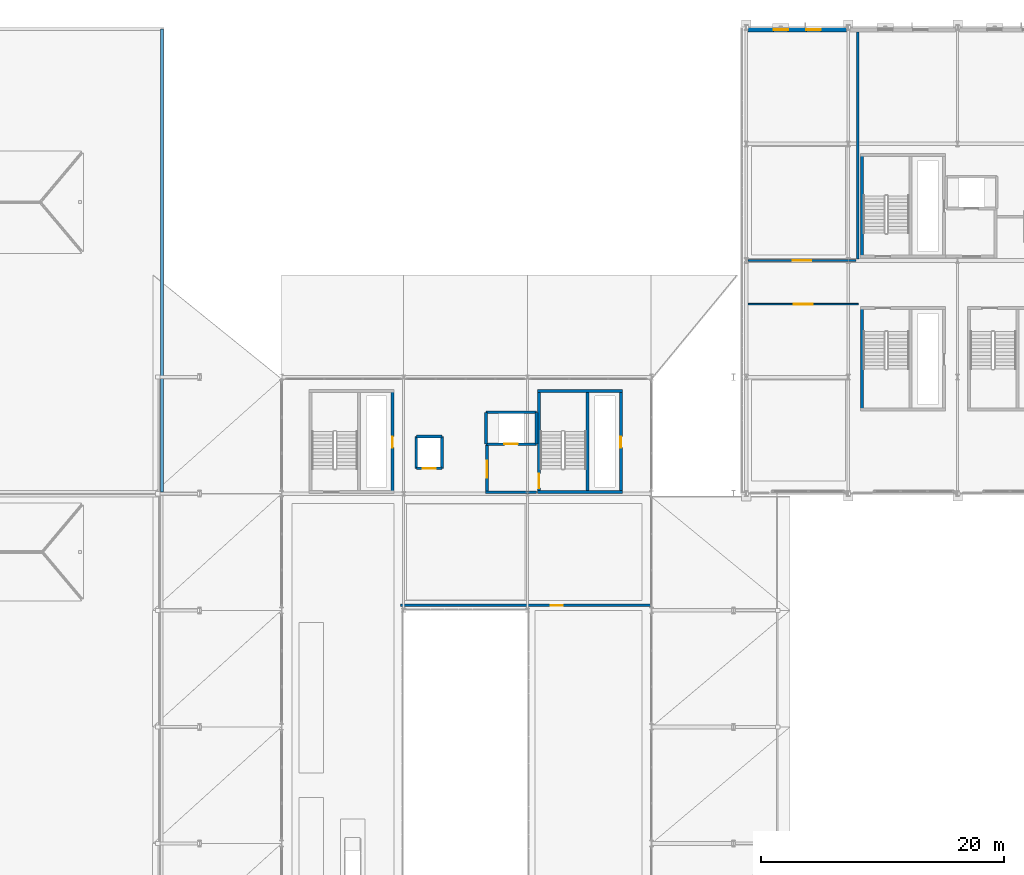
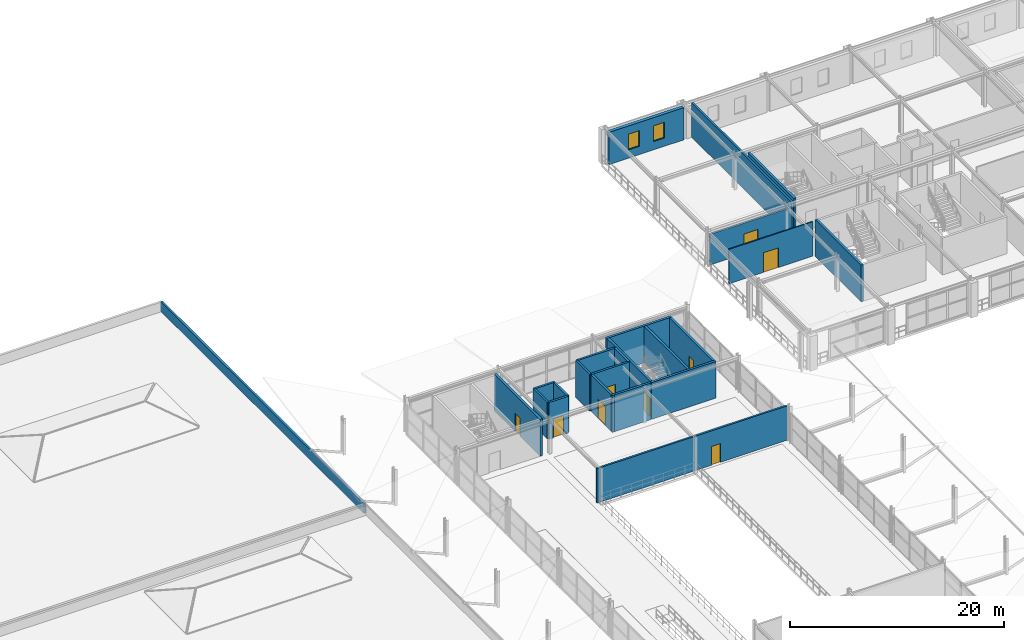
# One storey, part 48 of 81: 24 walls, 9 doors, 2 windows, 11 openings.
"""IFC4 building model written with IfcOpenShell, lengths in metres."""

from ifc_helpers import new_model, si_unit, direction, frame, frame_2d, origin, place, context, subcontext, project, spatial, rectangle, extrude, material, layer, layer_set, type_object, element, fill, save


model = new_model("IFC4")

# Units and contexts
model_context = context("Model", 3, precision=1e-05, world=origin(), true_north=direction((0.0, 1.0)))
body_context = subcontext(model_context, "Body", "Model", "MODEL_VIEW")
ifc_project = project(units=[si_unit("LENGTHUNIT", "METRE"), si_unit("AREAUNIT", "SQUARE_METRE"), si_unit("VOLUMEUNIT", "CUBIC_METRE"), si_unit("PLANEANGLEUNIT", "RADIAN"), si_unit("MASSUNIT", "GRAM", prefix="KILO")], contexts=[model_context])

# Site, building, storey
site_placement = place(None, origin())
site = spatial("IfcSite", under=ifc_project, at=site_placement, CompositionType="ELEMENT")
building_placement = place(site_placement, origin())
building = spatial("IfcBuilding", under=site, at=building_placement, Name="Myrtia Square Station", CompositionType="ELEMENT")
storey_placement = place(building_placement, frame((0.0, 0.0, 10.800048828125)))
storey = spatial("IfcBuildingStorey", under=building, at=storey_placement, Name="L02", CompositionType="ELEMENT", Elevation=10.800048828125)

# Wall, opening, door
ifc_material_1 = material(Name="Concrete C35/45", Category="concrete")
ifc_layer_1 = layer(ifc_material_1, 0.25, Name="Concrete C35/45")
ifc_layer_set_1 = layer_set([ifc_layer_1], Name="Concrete C35/45")
wall_type_1 = type_object("IfcWallType", Name="WL-CORE-250", PredefinedType="SHEAR", material=ifc_layer_set_1)
wall_1_placement = place(storey_placement, frame((88.47509765625, 86.39990234375, 0.0), z_axis=(0.0, 0.0, 1.0), x_axis=(0.0, 1.0, 0.0)))
wall_1 = element("IfcWall", 1, at=wall_1_placement, inside=storey, type_object=wall_type_1, Name="Core K2 shear wall L02 E", PredefinedType="SHEAR", context=body_context, shape_type="SweptSolid", body=[
    extrude(rectangle(XDim=8.60009765625, YDim=0.25, at=frame_2d((4.300048828125, 0.0))), origin(), (0.0, 0.0, 1.0), 4.199951171875),
])
opening_1_placement = place(wall_1_placement, frame((3.800048828125, 0.0, 0.0)))
opening_1 = element("IfcOpeningElement", 2, at=opening_1_placement, cuts=wall_1, Name="Opening RD-018", PredefinedType="OPENING", context=body_context, shape_type="SweptSolid", body=[
    extrude(rectangle(XDim=0.89990234375, YDim=2.050048828125, at=frame_2d((0.449951171875, 1.02490234375))), frame((0.0, 0.139892578125, 0.0), z_axis=(0.0, -1.0, 0.0), x_axis=(1.0, 0.0, 0.0)), (0.0, 0.0, 1.0), 0.280029296875),
])
ifc_material_2 = material(Name="Dark bronze anodised aluminium", Category="aluminium")
door_type_1 = type_object("IfcDoorType", Name="DR-RISER-900x2050", OperationType="NOTDEFINED", PredefinedType="DOOR", material=ifc_material_2)
door_1_placement = place(opening_1_placement, origin())
door_1 = element("IfcDoor", 3, at=door_1_placement, inside=storey, type_object=door_type_1, Name="Riser cupboard access door K2 L02", OperationType="SINGLE_SWING_RIGHT", OverallHeight=2.050048828125, OverallWidth=0.89990234375, PredefinedType="DOOR", context=body_context, shape_type="SweptSolid", body=[
    extrude(rectangle(XDim=0.89990234375, YDim=2.050048828125, at=frame_2d((0.449951171875, 1.02490234375))), frame((0.0, 0.02490234375, 0.0), z_axis=(0.0, -1.0, 0.0), x_axis=(1.0, 0.0, 0.0)), (0.0, 0.0, 1.0), 0.050048828125),
])
fill(opening_1, door_1)

# Walls
for number, where, z_axis, x_axis, name in (
    (4, (100.39990234375, 86.52490234375, 0.0), (0.0, 0.0, 1.0), (1.0, 0.0, 0.0), "Core K4 shear wall L02 S"),
    (5, (100.39990234375, 94.875, 0.0), (0.0, 0.0, 1.0), (1.0, 0.0, 0.0), "Core K4 shear wall L02 N"),
):
    element("IfcWall", number, at=place(storey_placement, frame(where, z_axis=z_axis, x_axis=x_axis)), inside=storey, type_object=wall_type_1, Name=name, PredefinedType="SHEAR", context=body_context, shape_type="SweptSolid", body=[
        extrude(rectangle(XDim=7.0, YDim=0.25, at=frame_2d((3.5, 0.0))), origin(), (0.0, 0.0, 1.0), 4.199951171875),
    ])

# Wall, opening, door
wall_2_placement = place(storey_placement, frame((100.52490234375, 86.39990234375, 0.0), z_axis=(0.0, 0.0, 1.0), x_axis=(0.0, 1.0, 0.0)))
wall_2 = element("IfcWall", 6, at=wall_2_placement, inside=storey, type_object=wall_type_1, Name="Core K4 shear wall L02 W", PredefinedType="SHEAR", context=body_context, shape_type="SweptSolid", body=[
    extrude(rectangle(XDim=8.60009765625, YDim=0.25, at=frame_2d((4.300048828125, 0.0))), origin(), (0.0, 0.0, 1.0), 4.199951171875),
])
opening_2_placement = place(wall_2_placement, frame((0.449951171875, 0.0, 0.0)))
opening_2 = element("IfcOpeningElement", 7, at=opening_2_placement, cuts=wall_2, Name="Opening SD-045", PredefinedType="OPENING", context=body_context, shape_type="SweptSolid", body=[
    extrude(rectangle(XDim=1.199951171875, YDim=2.14990234375, at=frame_2d((0.60009765625, 1.074951171875))), frame((0.0, 0.139892578125, 0.0), z_axis=(0.0, -1.0, 0.0), x_axis=(1.0, 0.0, 0.0)), (0.0, 0.0, 1.0), 0.280029296875),
])
door_type_2 = type_object("IfcDoorType", Name="DR-STAIR-1200x2150", OperationType="NOTDEFINED", PredefinedType="DOOR", material=ifc_material_2)
door_2_placement = place(opening_2_placement, frame((1.199951171875, 0.0, 0.0), z_axis=(0.0, 0.0, 1.0), x_axis=(-1.0, 0.0, 0.0)))
door_2 = element("IfcDoor", 8, at=door_2_placement, inside=storey, type_object=door_type_2, Name="Protected stair fire door K4 L02", OperationType="SINGLE_SWING_LEFT", OverallHeight=2.14990234375, OverallWidth=1.199951171875, PredefinedType="DOOR", context=body_context, shape_type="SweptSolid", body=[
    extrude(rectangle(XDim=1.199951171875, YDim=2.14990234375, at=frame_2d((0.60009765625, 1.074951171875))), frame((0.0, 0.02490234375, 0.0), z_axis=(0.0, -1.0, 0.0), x_axis=(1.0, 0.0, 0.0)), (0.0, 0.0, 1.0), 0.050048828125),
])
fill(opening_2, door_2)

wall_3_placement = place(storey_placement, frame((107.27490234375, 86.39990234375, 0.0), z_axis=(0.0, 0.0, 1.0), x_axis=(0.0, 1.0, 0.0)))
wall_3 = element("IfcWall", 9, at=wall_3_placement, inside=storey, type_object=wall_type_1, Name="Core K4 shear wall L02 E", PredefinedType="SHEAR", context=body_context, shape_type="SweptSolid", body=[
    extrude(rectangle(XDim=8.60009765625, YDim=0.25, at=frame_2d((4.300048828125, 0.0))), origin(), (0.0, 0.0, 1.0), 4.199951171875),
])
opening_3_placement = place(wall_3_placement, frame((3.800048828125, 0.0, 0.0)))
opening_3 = element("IfcOpeningElement", 10, at=opening_3_placement, cuts=wall_3, Name="Opening RD-046", PredefinedType="OPENING", context=body_context, shape_type="SweptSolid", body=[
    extrude(rectangle(XDim=0.89990234375, YDim=2.050048828125, at=frame_2d((0.449951171875, 1.02490234375))), frame((0.0, 0.139892578125, 0.0), z_axis=(0.0, -1.0, 0.0), x_axis=(1.0, 0.0, 0.0)), (0.0, 0.0, 1.0), 0.280029296875),
])
door_3_placement = place(opening_3_placement, origin())
door_3 = element("IfcDoor", 11, at=door_3_placement, inside=storey, type_object=door_type_1, Name="Riser cupboard access door K4 L02", OperationType="SINGLE_SWING_RIGHT", OverallHeight=2.050048828125, OverallWidth=0.89990234375, PredefinedType="DOOR", context=body_context, shape_type="SweptSolid", body=[
    extrude(rectangle(XDim=0.89990234375, YDim=2.050048828125, at=frame_2d((0.449951171875, 1.02490234375))), frame((0.0, 0.02490234375, 0.0), z_axis=(0.0, -1.0, 0.0), x_axis=(1.0, 0.0, 0.0)), (0.0, 0.0, 1.0), 0.050048828125),
])
fill(opening_3, door_3)

# Walls
wall_4_placement = place(storey_placement, frame((104.5400390625, 86.60009765625, 0.0), z_axis=(0.0, 0.0, 1.0), x_axis=(0.0, 1.0, 0.0)))
element("IfcWall", 12, at=wall_4_placement, inside=storey, type_object=wall_type_1, Name="Core K4 shear wall L02 D", PredefinedType="SHEAR", context=body_context, shape_type="SweptSolid", body=[
    extrude(rectangle(XDim=8.199951171875, YDim=0.25, at=frame_2d((4.10009765625, 0.0))), origin(), (0.0, 0.0, 1.0), 4.199951171875),
])
wall_5_placement = place(storey_placement, frame((127.125, 105.800048828125, 0.0), z_axis=(0.0, 0.0, 1.0), x_axis=(0.0, 1.0, 0.0)))
element("IfcWall", 13, at=wall_5_placement, inside=storey, type_object=wall_type_1, Name="Core K7 shear wall L02 W", PredefinedType="SHEAR", context=body_context, shape_type="SweptSolid", body=[
    extrude(rectangle(XDim=8.599853515625, YDim=0.25, at=frame_2d((4.2998046875, 0.0))), origin(), (0.0, 0.0, 1.0), 4.199951171875),
])
wall_6_placement = place(storey_placement, frame((127.125, 93.199951171875, 0.0), z_axis=(0.0, 0.0, 1.0), x_axis=(0.0, 1.0, 0.0)))
element("IfcWall", 14, at=wall_6_placement, inside=storey, type_object=wall_type_1, Name="Core K12 shear wall L02 W", PredefinedType="SHEAR", context=body_context, shape_type="SweptSolid", body=[
    extrude(rectangle(XDim=8.60009765625, YDim=0.25, at=frame_2d((4.300048828125, 0.0))), origin(), (0.0, 0.0, 1.0), 4.199951171875),
])

# Wall, openings, windows
ifc_material_3 = material(Name="Cream lime stucco on clay brick masonry", Category="masonry")
ifc_layer_2 = layer(ifc_material_3, 0.360107421875, Name="Cream lime stucco on clay brick masonry")
ifc_layer_set_2 = layer_set([ifc_layer_2], Name="Cream lime stucco on clay brick masonry")
wall_type_2 = type_object("IfcWallType", Name="WL-EXT-STUCCO-360", PredefinedType="SOLIDWALL", material=ifc_layer_set_2)
wall_7_placement = place(storey_placement, frame((117.7548828125, 124.60009765625, 0.0), z_axis=(0.0, 0.0, 1.0), x_axis=(1.0, 0.0, 0.0)))
wall_7 = element("IfcWall", 15, at=wall_7_placement, inside=storey, type_object=wall_type_2, Name="Exterior envelope wall EW-L02-0120", PredefinedType="SOLIDWALL", context=body_context, shape_type="SweptSolid", body=[
    extrude(rectangle(XDim=8.090087890625, YDim=0.360107421875, at=frame_2d((4.044921875, 0.0))), origin(), (0.0, 0.0, 1.0), 3.68505859375),
])
opening_4_placement = place(wall_7_placement, frame((2.096923828125, 0.0, 0.949951171875)))
opening_4 = element("IfcOpeningElement", 16, at=opening_4_placement, cuts=wall_7, Name="Opening WN-133", PredefinedType="OPENING", context=body_context, shape_type="SweptSolid", body=[
    extrude(rectangle(XDim=1.199951171875, YDim=1.800048828125, at=frame_2d((0.60009765625, 0.89990234375))), frame((0.0, 0.195068359375, 0.0), z_axis=(0.0, -1.0, 0.0), x_axis=(1.0, 0.0, 0.0)), (0.0, 0.0, 1.0), 0.39013671875),
])
opening_5_placement = place(wall_7_placement, frame((4.79296875, 0.0, 0.949951171875)))
opening_5 = element("IfcOpeningElement", 17, at=opening_5_placement, cuts=wall_7, Name="Opening WN-134", PredefinedType="OPENING", context=body_context, shape_type="SweptSolid", body=[
    extrude(rectangle(XDim=1.199951171875, YDim=1.800048828125, at=frame_2d((0.60009765625, 0.89990234375))), frame((0.0, 0.195068359375, 0.0), z_axis=(0.0, -1.0, 0.0), x_axis=(1.0, 0.0, 0.0)), (0.0, 0.0, 1.0), 0.39013671875),
])
ifc_material_4 = material(Name="Tinted low-E solar control glass", Category="glass")
window_type = type_object("IfcWindowType", Name="WN-OPS-1200x1800", PartitioningType="SINGLE_PANEL", PredefinedType="WINDOW", material=ifc_material_4)
window_1_placement = place(opening_4_placement, origin())
window_1 = element("IfcWindow", 18, at=window_1_placement, inside=storey, type_object=window_type, Name="Window WN-133", OverallHeight=1.800048828125, OverallWidth=1.199951171875, PartitioningType="SINGLE_PANEL", PredefinedType="WINDOW", context=body_context, shape_type="SweptSolid", body=[
    extrude(rectangle(XDim=1.199951171875, YDim=1.800048828125, at=frame_2d((0.60009765625, 0.89990234375))), frame((0.0, 0.030029296875, 0.0), z_axis=(0.0, -1.0, 0.0), x_axis=(1.0, 0.0, 0.0)), (0.0, 0.0, 1.0), 0.06005859375),
])
fill(opening_4, window_1)
window_2_placement = place(opening_5_placement, origin())
window_2 = element("IfcWindow", 19, at=window_2_placement, inside=storey, type_object=window_type, Name="Window WN-134", OverallHeight=1.800048828125, OverallWidth=1.199951171875, PartitioningType="SINGLE_PANEL", PredefinedType="WINDOW", context=body_context, shape_type="SweptSolid", body=[
    extrude(rectangle(XDim=1.199951171875, YDim=1.800048828125, at=frame_2d((0.60009765625, 0.89990234375))), frame((0.0, 0.030029296875, 0.0), z_axis=(0.0, -1.0, 0.0), x_axis=(1.0, 0.0, 0.0)), (0.0, 0.0, 1.0), 0.06005859375),
])
fill(opening_5, window_2)

# Wall, opening, door
ifc_layer_3 = layer(ifc_material_1, 0.239990234375, Name="Concrete C35/45")
ifc_layer_set_3 = layer_set([ifc_layer_3], Name="Concrete C35/45")
wall_type_3 = type_object("IfcWallType", Name="WL-FFL-240", PredefinedType="SHEAR", material=ifc_layer_set_3)
wall_8_placement = place(storey_placement, frame((96.27001953125, 86.39990234375, 0.0), z_axis=(0.0, 0.0, 1.0), x_axis=(0.0, 1.0, 0.0)))
wall_8 = element("IfcWall", 20, at=wall_8_placement, inside=storey, type_object=wall_type_3, Name="Firefighting lift lobby EI 120 wall K4 L02 W", PredefinedType="SHEAR", context=body_context, shape_type="SweptSolid", body=[
    extrude(rectangle(XDim=4.0, YDim=0.239990234375, at=frame_2d((2.0, 0.0))), origin(), (0.0, 0.0, 1.0), 4.199951171875),
])
opening_6_placement = place(wall_8_placement, frame((1.300048828125, 0.0, 0.0)))
opening_6 = element("IfcOpeningElement", 21, at=opening_6_placement, cuts=wall_8, Name="Opening FD-047", PredefinedType="OPENING", context=body_context, shape_type="SweptSolid", body=[
    extrude(rectangle(XDim=1.39990234375, YDim=2.199951171875, at=frame_2d((0.699951171875, 1.10009765625))), frame((0.0, 0.135009765625, 0.0), z_axis=(0.0, -1.0, 0.0), x_axis=(1.0, 0.0, 0.0)), (0.0, 0.0, 1.0), 0.27001953125),
])
door_type_3 = type_object("IfcDoorType", Name="DR-FFL-1400x2200", OperationType="NOTDEFINED", PredefinedType="DOOR", material=ifc_material_2)
door_4_placement = place(opening_6_placement, origin())
door_4 = element("IfcDoor", 22, at=door_4_placement, inside=storey, type_object=door_type_3, Name="Firefighting lobby fire door K4 L02", OperationType="SINGLE_SWING_LEFT", OverallHeight=2.199951171875, OverallWidth=1.39990234375, PredefinedType="DOOR", context=body_context, shape_type="SweptSolid", body=[
    extrude(rectangle(XDim=1.39990234375, YDim=2.199951171875, at=frame_2d((0.699951171875, 1.10009765625))), frame((0.0, 0.02490234375, 0.0), z_axis=(0.0, -1.0, 0.0), x_axis=(1.0, 0.0, 0.0)), (0.0, 0.0, 1.0), 0.050048828125),
])
fill(opening_6, door_4)

# Wall
wall_9_placement = place(storey_placement, frame((96.14990234375, 86.52001953125, 0.0), z_axis=(0.0, 0.0, 1.0), x_axis=(1.0, 0.0, 0.0)))
element("IfcWall", 23, at=wall_9_placement, inside=storey, type_object=wall_type_3, Name="Firefighting lift lobby EI 120 wall K4 L02 S", PredefinedType="SHEAR", context=body_context, shape_type="SweptSolid", body=[
    extrude(rectangle(XDim=4.2001953125, YDim=0.239990234375, at=frame_2d((2.10009765625, 0.0))), origin(), (0.0, 0.0, 1.0), 4.199951171875),
])

# Wall, opening, door
ifc_layer_4 = layer(ifc_material_1, 0.219970703125, Name="Concrete C35/45")
ifc_layer_set_4 = layer_set([ifc_layer_4], Name="Concrete C35/45")
wall_type_4 = type_object("IfcWallType", Name="WL-LIFT-220", PredefinedType="SHEAR", material=ifc_layer_set_4)
wall_10_placement = place(storey_placement, frame((90.43994140625, 88.489990234375, 0.0), z_axis=(0.0, 0.0, 1.0), x_axis=(1.0, 0.0, 0.0)))
wall_10 = element("IfcWall", 24, at=wall_10_placement, inside=storey, type_object=wall_type_4, Name="Lift shaft wall PL-06 L02 -Y", PredefinedType="SHEAR", context=body_context, shape_type="SweptSolid", body=[
    extrude(rectangle(XDim=2.1201171875, YDim=0.219970703125, at=frame_2d((1.06005859375, 0.0))), origin(), (0.0, 0.0, 1.0), 4.199951171875),
])
opening_7_placement = place(wall_10_placement, frame((0.510009765625, 0.0, 0.0)))
opening_7 = element("IfcOpeningElement", 25, at=opening_7_placement, cuts=wall_10, Name="Opening LD-PL-06", PredefinedType="OPENING", context=body_context, shape_type="SweptSolid", body=[
    extrude(rectangle(XDim=1.10009765625, YDim=2.14990234375, at=frame_2d((0.550048828125, 1.074951171875))), frame((0.0, 0.125, 0.0), z_axis=(0.0, -1.0, 0.0), x_axis=(1.0, 0.0, 0.0)), (0.0, 0.0, 1.0), 0.25),
])
door_type_4 = type_object("IfcDoorType", Name="DR-LIFT-1100x2150", OperationType="NOTDEFINED", PredefinedType="DOOR", material=ifc_material_2)
door_5_placement = place(opening_7_placement, origin())
door_5 = element("IfcDoor", 26, at=door_5_placement, inside=storey, type_object=door_type_4, Name="Lift landing door PL-06 L02", OperationType="SLIDING_TO_LEFT", OverallHeight=2.14990234375, OverallWidth=1.10009765625, PredefinedType="DOOR", context=body_context, shape_type="SweptSolid", body=[
    extrude(rectangle(XDim=1.10009765625, YDim=2.14990234375, at=frame_2d((0.550048828125, 1.074951171875))), frame((0.0, 0.02490234375, 0.0), z_axis=(0.0, -1.0, 0.0), x_axis=(1.0, 0.0, 0.0)), (0.0, 0.0, 1.0), 0.050048828125),
])
fill(opening_7, door_5)

# Walls
wall_11_placement = place(storey_placement, frame((90.43994140625, 91.110107421875, 0.0), z_axis=(0.0, 0.0, 1.0), x_axis=(1.0, 0.0, 0.0)))
element("IfcWall", 27, at=wall_11_placement, inside=storey, type_object=wall_type_4, Name="Lift shaft wall PL-06 L02 +Y", PredefinedType="SHEAR", context=body_context, shape_type="SweptSolid", body=[
    extrude(rectangle(XDim=2.1201171875, YDim=0.219970703125, at=frame_2d((1.06005859375, 0.0))), origin(), (0.0, 0.0, 1.0), 4.199951171875),
])
for number, where, z_axis, x_axis, name in (
    (28, (90.43994140625, 88.489990234375, 0.0), (0.0, 0.0, 1.0), (0.0, 1.0, 0.0), "Lift shaft wall PL-06 L02 -X"),
    (29, (92.56005859375, 88.489990234375, 0.0), (0.0, 0.0, 1.0), (0.0, 1.0, 0.0), "Lift shaft wall PL-06 L02 +X"),
):
    element("IfcWall", number, at=place(storey_placement, frame(where, z_axis=z_axis, x_axis=x_axis)), inside=storey, type_object=wall_type_4, Name=name, PredefinedType="SHEAR", context=body_context, shape_type="SweptSolid", body=[
        extrude(rectangle(XDim=2.6201171875, YDim=0.219970703125, at=frame_2d((1.31005859375, 0.0))), origin(), (0.0, 0.0, 1.0), 4.199951171875),
    ])

# Wall, opening, door
wall_12_placement = place(storey_placement, frame((96.169921875, 90.47998046875, 0.0), z_axis=(0.0, 0.0, 1.0), x_axis=(1.0, 0.0, 0.0)))
wall_12 = element("IfcWall", 30, at=wall_12_placement, inside=storey, type_object=wall_type_4, Name="Lift shaft wall FFL-02 L02 -Y", PredefinedType="SHEAR", context=body_context, shape_type="SweptSolid", body=[
    extrude(rectangle(XDim=4.16015625, YDim=0.219970703125, at=frame_2d((2.080078125, 0.0))), origin(), (0.0, 0.0, 1.0), 4.199951171875),
])
opening_8_placement = place(wall_12_placement, frame((1.530029296875, 0.0, 0.0)))
opening_8 = element("IfcOpeningElement", 31, at=opening_8_placement, cuts=wall_12, Name="Opening LD-FFL-02", PredefinedType="OPENING", context=body_context, shape_type="SweptSolid", body=[
    extrude(rectangle(XDim=1.10009765625, YDim=2.14990234375, at=frame_2d((0.550048828125, 1.074951171875))), frame((0.0, 0.125, 0.0), z_axis=(0.0, -1.0, 0.0), x_axis=(1.0, 0.0, 0.0)), (0.0, 0.0, 1.0), 0.25),
])
door_6_placement = place(opening_8_placement, origin())
door_6 = element("IfcDoor", 32, at=door_6_placement, inside=storey, type_object=door_type_4, Name="Lift landing door FFL-02 L02", OperationType="SLIDING_TO_RIGHT", OverallHeight=2.14990234375, OverallWidth=1.10009765625, PredefinedType="DOOR", context=body_context, shape_type="SweptSolid", body=[
    extrude(rectangle(XDim=1.10009765625, YDim=2.14990234375, at=frame_2d((0.550048828125, 1.074951171875))), frame((0.0, 0.02490234375, 0.0), z_axis=(0.0, -1.0, 0.0), x_axis=(1.0, 0.0, 0.0)), (0.0, 0.0, 1.0), 0.050048828125),
])
fill(opening_8, door_6)

# Walls
wall_13_placement = place(storey_placement, frame((96.169921875, 93.10009765625, 0.0), z_axis=(0.0, 0.0, 1.0), x_axis=(1.0, 0.0, 0.0)))
element("IfcWall", 33, at=wall_13_placement, inside=storey, type_object=wall_type_4, Name="Lift shaft wall FFL-02 L02 +Y", PredefinedType="SHEAR", context=body_context, shape_type="SweptSolid", body=[
    extrude(rectangle(XDim=4.16015625, YDim=0.219970703125, at=frame_2d((2.080078125, 0.0))), origin(), (0.0, 0.0, 1.0), 4.199951171875),
])
for number, where, z_axis, x_axis, name in (
    (34, (96.169921875, 90.47998046875, 0.0), (0.0, 0.0, 1.0), (0.0, 1.0, 0.0), "Lift shaft wall FFL-02 L02 -X"),
    (35, (100.330078125, 90.47998046875, 0.0), (0.0, 0.0, 1.0), (0.0, 1.0, 0.0), "Lift shaft wall FFL-02 L02 +X"),
):
    element("IfcWall", number, at=place(storey_placement, frame(where, z_axis=z_axis, x_axis=x_axis)), inside=storey, type_object=wall_type_4, Name=name, PredefinedType="SHEAR", context=body_context, shape_type="SweptSolid", body=[
        extrude(rectangle(XDim=2.6201171875, YDim=0.219970703125, at=frame_2d((1.31005859375, 0.0))), origin(), (0.0, 0.0, 1.0), 4.199951171875),
    ])
ifc_layer_5 = layer(ifc_material_3, 0.22998046875, Name="Cream lime stucco on clay brick masonry")
ifc_layer_set_5 = layer_set([ifc_layer_5], Name="Cream lime stucco on clay brick masonry")
wall_type_5 = type_object("IfcWallType", Name="WL-PAR-STUCCO-230", PredefinedType="PARAPET", material=ifc_layer_set_5)
wall_14_placement = place(storey_placement, frame((69.5, 86.550048828125, 0.0), z_axis=(0.0, 0.0, 1.0), x_axis=(0.0, 1.0, 0.0)))
element("IfcWall", 36, at=wall_14_placement, inside=storey, type_object=wall_type_5, Name="Spanish Mission roof parapet 026", PredefinedType="PARAPET", context=body_context, shape_type="SweptSolid", body=[
    extrude(rectangle(XDim=38.099853515625, YDim=0.22998046875, at=frame_2d((19.0498046875, 0.0))), origin(), (0.0, 0.0, 1.0), 1.14990234375),
])

# Wall, opening, door
ifc_material_5 = material(Name="Gypsum plasterboard")
ifc_layer_6 = layer(ifc_material_5, 0.125, Name="Gypsum plasterboard")
ifc_layer_set_6 = layer_set([ifc_layer_6], Name="Gypsum plasterboard")
wall_type_6 = type_object("IfcWallType", Name="WL-PART-125", PredefinedType="PARTITIONING", material=ifc_layer_set_6)
wall_15_placement = place(storey_placement, frame((117.75, 102.0, 0.0), z_axis=(0.0, 0.0, 1.0), x_axis=(1.0, 0.0, 0.0)))
wall_15 = element("IfcWall", 37, at=wall_15_placement, inside=storey, type_object=wall_type_6, Name="Interior partition wall L02-11", PredefinedType="PARTITIONING", context=body_context, shape_type="SweptSolid", body=[
    extrude(rectangle(XDim=9.090087890625, YDim=0.125, at=frame_2d((4.544921875, 0.0))), origin(), (0.0, 0.0, 1.0), 3.93994140625),
])
opening_9_placement = place(wall_15_placement, frame((3.7451171875, 0.0, 0.0)))
opening_9 = element("IfcOpeningElement", 38, at=opening_9_placement, cuts=wall_15, Name="Opening D-261", PredefinedType="OPENING", context=body_context, shape_type="SweptSolid", body=[
    extrude(rectangle(XDim=1.60009765625, YDim=2.25, at=frame_2d((0.800048828125, 1.125))), frame((0.0, 0.077392578125, 0.0), z_axis=(0.0, -1.0, 0.0), x_axis=(1.0, 0.0, 0.0)), (0.0, 0.0, 1.0), 0.155029296875),
])
door_type_5 = type_object("IfcDoorType", Name="DR-CORR-1600x2250", OperationType="NOTDEFINED", PredefinedType="DOOR", material=ifc_material_2)
door_7_placement = place(opening_9_placement, origin())
door_7 = element("IfcDoor", 39, at=door_7_placement, inside=storey, type_object=door_type_5, Name="Main-Line Train Drivers Mess Room door D-261", OperationType="DOUBLE_DOOR_SINGLE_SWING", OverallHeight=2.25, OverallWidth=1.60009765625, PredefinedType="DOOR", context=body_context, shape_type="SweptSolid", body=[
    extrude(rectangle(XDim=1.60009765625, YDim=2.25, at=frame_2d((0.800048828125, 1.125))), frame((0.0, 0.02490234375, 0.0), z_axis=(0.0, -1.0, 0.0), x_axis=(1.0, 0.0, 0.0)), (0.0, 0.0, 1.0), 0.050048828125),
])
fill(opening_9, door_7)

ifc_layer_7 = layer(ifc_material_3, 0.199951171875, Name="Cream lime stucco on clay brick masonry")
ifc_layer_set_7 = layer_set([ifc_layer_7], Name="Cream lime stucco on clay brick masonry")
wall_type_7 = type_object("IfcWallType", Name="WL-PART-200", PredefinedType="PARTITIONING", material=ifc_layer_set_7)
wall_16_placement = place(storey_placement, frame((89.14990234375, 77.199951171875, 0.0), z_axis=(0.0, 0.0, 1.0), x_axis=(1.0, 0.0, 0.0)))
wall_16 = element("IfcWall", 40, at=wall_16_placement, inside=storey, type_object=wall_type_7, Name="Interior partition wall L02-02", PredefinedType="PARTITIONING", context=body_context, shape_type="SweptSolid", body=[
    extrude(rectangle(XDim=20.565185546875, YDim=0.199951171875, at=frame_2d((10.28271484375, 0.0))), origin(), (0.0, 0.0, 1.0), 3.93994140625),
])
opening_10_placement = place(wall_16_placement, frame((12.35009765625, 0.0, 0.0)))
opening_10 = element("IfcOpeningElement", 41, at=opening_10_placement, cuts=wall_16, Name="Opening D-254", PredefinedType="OPENING", context=body_context, shape_type="SweptSolid", body=[
    extrude(rectangle(XDim=1.0, YDim=2.14990234375, at=frame_2d((0.5, 1.074951171875))), frame((0.0, 0.114990234375, 0.0), z_axis=(0.0, -1.0, 0.0), x_axis=(1.0, 0.0, 0.0)), (0.0, 0.0, 1.0), 0.22998046875),
])
ifc_material_6 = material(Name="Acoustic European oak timber", Category="wood")
door_type_6 = type_object("IfcDoorType", Name="DR-ROOM-1000x2150", OperationType="NOTDEFINED", PredefinedType="DOOR", material=ifc_material_6)
door_8_placement = place(opening_10_placement, frame((1.0, 0.0, 0.0), z_axis=(0.0, 0.0, 1.0), x_axis=(-1.0, 0.0, 0.0)))
door_8 = element("IfcDoor", 42, at=door_8_placement, inside=storey, type_object=door_type_6, Name="Mobility Assistance Passenger Lounge North door D-254", OperationType="SINGLE_SWING_RIGHT", OverallHeight=2.14990234375, OverallWidth=1.0, PredefinedType="DOOR", context=body_context, shape_type="SweptSolid", body=[
    extrude(rectangle(XDim=1.0, YDim=2.14990234375, at=frame_2d((0.5, 1.074951171875))), frame((0.0, 0.02490234375, 0.0), z_axis=(0.0, -1.0, 0.0), x_axis=(1.0, 0.0, 0.0)), (0.0, 0.0, 1.0), 0.050048828125),
])
fill(opening_10, door_8)

wall_17_placement = place(storey_placement, frame((117.75, 105.60009765625, 0.0), z_axis=(0.0, 0.0, 1.0), x_axis=(1.0, 0.0, 0.0)))
wall_17 = element("IfcWall", 43, at=wall_17_placement, inside=storey, type_object=wall_type_7, Name="Interior partition wall L02-16", PredefinedType="PARTITIONING", context=body_context, shape_type="SweptSolid", body=[
    extrude(rectangle(XDim=8.89990234375, YDim=0.199951171875, at=frame_2d((4.449951171875, 0.0))), origin(), (0.0, 0.0, 1.0), 3.494873046875),
])
opening_11_placement = place(wall_17_placement, frame((3.699951171875, 0.0, 0.0)))
opening_11 = element("IfcOpeningElement", 44, at=opening_11_placement, cuts=wall_17, Name="Opening D-266", PredefinedType="OPENING", context=body_context, shape_type="SweptSolid", body=[
    extrude(rectangle(XDim=1.5, YDim=2.25, at=frame_2d((0.75, 1.125))), frame((0.0, 0.114990234375, 0.0), z_axis=(0.0, -1.0, 0.0), x_axis=(1.0, 0.0, 0.0)), (0.0, 0.0, 1.0), 0.22998046875),
])
door_type_7 = type_object("IfcDoorType", Name="DR-PLANT-1500x2250", OperationType="NOTDEFINED", PredefinedType="DOOR", material=ifc_material_2)
door_9_placement = place(opening_11_placement, frame((1.5, 0.0, 0.0), z_axis=(0.0, 0.0, 1.0), x_axis=(-1.0, 0.0, 0.0)))
door_9 = element("IfcDoor", 45, at=door_9_placement, inside=storey, type_object=door_type_7, Name="Crew Uniform and Equipment Issue Room door D-266", OperationType="SINGLE_SWING_LEFT", OverallHeight=2.25, OverallWidth=1.5, PredefinedType="DOOR", context=body_context, shape_type="SweptSolid", body=[
    extrude(rectangle(XDim=1.5, YDim=2.25, at=frame_2d((0.75, 1.125))), frame((0.0, 0.02490234375, 0.0), z_axis=(0.0, -1.0, 0.0), x_axis=(1.0, 0.0, 0.0)), (0.0, 0.0, 1.0), 0.050048828125),
])
fill(opening_11, door_9)

# Wall
wall_18_placement = place(storey_placement, frame((126.800048828125, 105.705078125, 0.0), z_axis=(0.0, 0.0, 1.0), x_axis=(0.0, 1.0, 0.0)))
element("IfcWall", 46, at=wall_18_placement, inside=storey, type_object=wall_type_7, Name="Room divider partition L02-16", PredefinedType="PARTITIONING", context=body_context, shape_type="SweptSolid", body=[
    extrude(rectangle(XDim=18.7099609375, YDim=0.199951171875, at=frame_2d((9.35498046875, 0.0))), origin(), (0.0, 0.0, 1.0), 3.93994140625),
])

save(model, "model.ifc")
